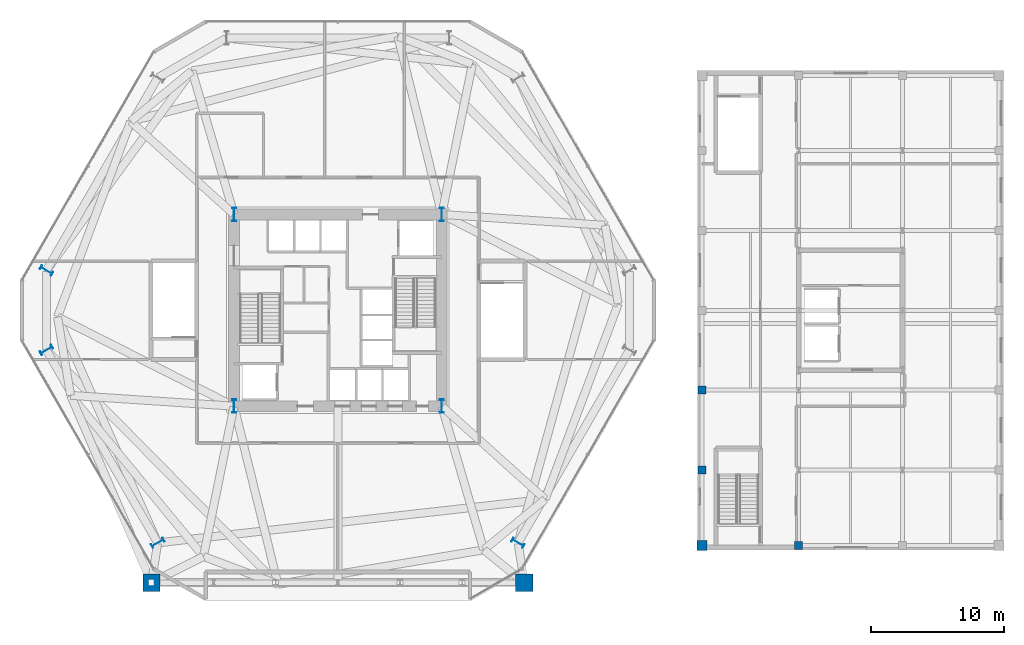
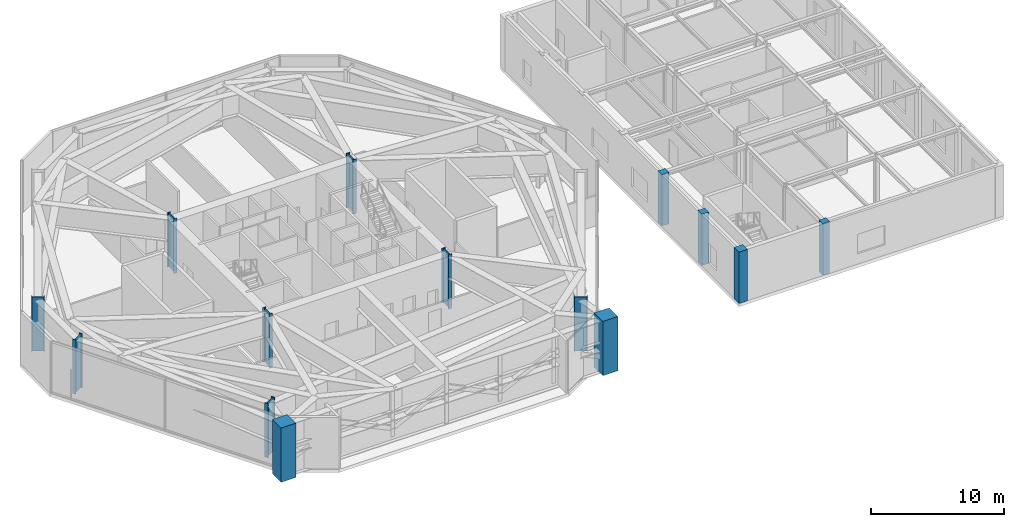
# One storey, part 1 of 16: 14 columns.
"""IFC4 building model written with IfcOpenShell, lengths in metres."""

from ifc_helpers import new_model, si_unit, direction, frame, origin, origin_2d, place, context, subcontext, project, spatial, rectangle, i_section, extrude, material, material_profile, profile_set, type_object, element, save


model = new_model("IFC4")

# Units and contexts
model_context = context("Model", 3, precision=1e-05, world=origin(), true_north=direction((0.0, 1.0)))
body_context = subcontext(model_context, "Body", "Model", "MODEL_VIEW")
ifc_project = project(units=[si_unit("LENGTHUNIT", "METRE"), si_unit("AREAUNIT", "SQUARE_METRE"), si_unit("VOLUMEUNIT", "CUBIC_METRE"), si_unit("PLANEANGLEUNIT", "RADIAN"), si_unit("MASSUNIT", "GRAM", prefix="KILO")], contexts=[model_context])

# Site, building, storey
site_placement = place(None, origin())
site = spatial("IfcSite", under=ifc_project, at=site_placement, CompositionType="ELEMENT")
building_placement = place(site_placement, origin())
building = spatial("IfcBuilding", under=site, at=building_placement, Name="Kranzbogen Civic Tower", CompositionType="ELEMENT")
storey_placement = place(building_placement, frame((0.0, 0.0, 19.0)))
storey = spatial("IfcBuildingStorey", under=building, at=storey_placement, Name="L04", CompositionType="ELEMENT", Elevation=19.0)

# Columns
ifc_material_1 = material(Name="Steel S460", Category="steel")
ifc_material_profile_1 = material_profile(ifc_material_1, i_section(OverallWidth=0.302001953125, OverallDepth=1.008056640625, WebThickness=0.02099609375, FlangeThickness=0.0400390625, at=origin_2d()), Name="HEM 1000")
ifc_profile_set_1 = profile_set([ifc_material_profile_1], Name="Steel S460")
column_type_1 = type_object("IfcColumnType", Name="Structural Column HEM 1000", PredefinedType="COLUMN", material=ifc_profile_set_1)
for number, where, z_axis, x_axis, name in (
    (1, (17.199951171875, 17.800048828125, 0.0), (0.0, 0.0, 1.0), (1.0, 0.0, 0.0), "L04 composite core corner column 1"),
    (2, (32.800048828125, 17.800048828125, 0.0), (0.0, 0.0, 1.0), (1.0, 0.0, 0.0), "L04 composite core corner column 2"),
    (3, (32.800048828125, 32.199951171875, 0.0), (0.0, 0.0, 1.0), (1.0, 0.0, 0.0), "L04 composite core corner column 3"),
    (4, (17.199951171875, 32.199951171875, 0.0), (0.0, 0.0, 1.0), (1.0, 0.0, 0.0), "L04 composite core corner column 4"),
    (5, (3.110107421875, 27.986083984375, 0.0), (0.0, 0.0, 1.0), (0.5, 0.866025403784, 0.0), "L04 tower perimeter tube column 06"),
    (6, (3.110107421875, 22.013916015625, 0.0), (0.0, 0.0, 1.0), (-0.5, 0.866025403784, 0.0), "L04 tower perimeter tube column 07"),
    (7, (11.468994140625, 7.535888671875, 0.0), (0.0, 0.0, 1.0), (-0.5, 0.866025403784, 0.0), "L04 tower perimeter tube column 08"),
    (8, (38.531005859375, 7.535888671875, 0.0), (0.0, 0.0, 1.0), (0.5, 0.866025403784, 0.0), "L04 tower perimeter tube column 11"),
):
    element("IfcColumn", number, at=place(storey_placement, frame(where, z_axis=z_axis, x_axis=x_axis)), inside=storey, type_object=column_type_1, Name=name, PredefinedType="COLUMN", context=body_context, shape_type="SweptSolid", body=[
        extrude(i_section(OverallWidth=0.302001953125, OverallDepth=1.008056640625, WebThickness=0.02099609375, FlangeThickness=0.0400390625, at=origin_2d()), origin(), (0.0, 0.0, 1.0), 5.0),
    ])
ifc_material_2 = material(Name="Concrete C55/67", Category="concrete")
ifc_material_profile_2 = material_profile(ifc_material_2, rectangle(XDim=1.300048828125, YDim=1.300048828125, at=origin_2d()), Name="RC 1300x1300")
ifc_profile_set_2 = profile_set([ifc_material_profile_2], Name="Concrete C55/67")
column_type_2 = type_object("IfcColumnType", Name="Structural Column RC 1300x1300", PredefinedType="COLUMN", material=ifc_profile_set_2)
for number, where, z_axis, x_axis, name in (
    (9, (11.0, 4.550048828125, 0.0), (0.0, 0.0, 1.0), (1.0, 0.0, 0.0), "L04 portal arch corner pier 1"),
    (10, (39.0, 4.550048828125, 0.0), (0.0, 0.0, 1.0), (1.0, 0.0, 0.0), "L04 portal arch corner pier 2"),
):
    element("IfcColumn", number, at=place(storey_placement, frame(where, z_axis=z_axis, x_axis=x_axis)), inside=storey, type_object=column_type_2, Name=name, PredefinedType="COLUMN", context=body_context, shape_type="SweptSolid", body=[
        extrude(rectangle(XDim=1.300048828125, YDim=1.300048828125, at=origin_2d()), origin(), (0.0, 0.0, 1.0), 5.0),
    ])
ifc_material_3 = material(Name="Concrete C40/50", Category="concrete")
ifc_material_profile_3 = material_profile(ifc_material_3, rectangle(XDim=0.60009765625, YDim=0.60009765625, at=origin_2d()), Name="RC 600x600")
ifc_profile_set_3 = profile_set([ifc_material_profile_3], Name="Concrete C40/50")
column_type_3 = type_object("IfcColumnType", Name="Structural Column RC 600x600", PredefinedType="COLUMN", material=ifc_profile_set_3)
for number, where, z_axis, x_axis, name in (
    (11, (52.35009765625, 13.0, 0.0), (0.0, 0.0, 1.0), (1.0, 0.0, 0.0), "L04 Health Centre column 10/C"),
    (12, (52.35009765625, 19.0, 0.0), (0.0, 0.0, 1.0), (1.0, 0.0, 0.0), "L04 Health Centre column 10/D"),
    (13, (59.60009765625, 7.35009765625, 0.0), (0.0, 0.0, 1.0), (1.0, 0.0, 0.0), "L04 Health Centre column 11/B"),
):
    element("IfcColumn", number, at=place(storey_placement, frame(where, z_axis=z_axis, x_axis=x_axis)), inside=storey, type_object=column_type_3, Name=name, PredefinedType="COLUMN", context=body_context, shape_type="SweptSolid", body=[
        extrude(rectangle(XDim=0.60009765625, YDim=0.60009765625, at=origin_2d()), origin(), (0.0, 0.0, 1.0), 4.72998046875),
    ])
ifc_material_profile_4 = material_profile(ifc_material_3, rectangle(XDim=0.75, YDim=0.75, at=origin_2d()), Name="RC 750x750")
ifc_profile_set_4 = profile_set([ifc_material_profile_4], Name="Concrete C40/50")
column_type_4 = type_object("IfcColumnType", Name="Structural Column RC 750x750", PredefinedType="COLUMN", material=ifc_profile_set_4)
column_placement = place(storey_placement, frame((52.35009765625, 7.35009765625, 0.0), z_axis=(0.0, 0.0, 1.0), x_axis=(1.0, 0.0, 0.0)))
element("IfcColumn", 14, at=column_placement, inside=storey, type_object=column_type_4, Name="L04 Health Centre column 10/B", PredefinedType="COLUMN", context=body_context, shape_type="SweptSolid", body=[
    extrude(rectangle(XDim=0.75, YDim=0.75, at=origin_2d()), origin(), (0.0, 0.0, 1.0), 4.72998046875),
])

save(model, "model.ifc")
